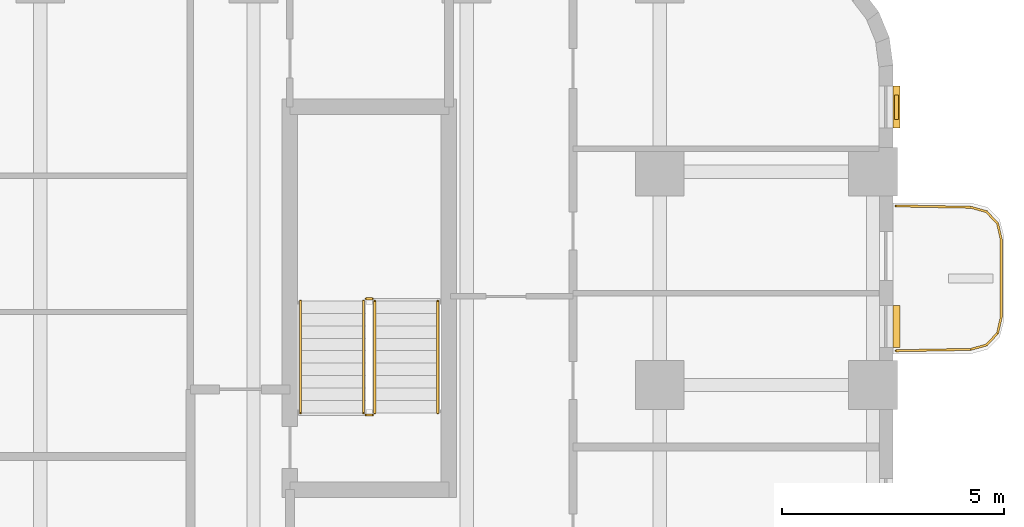
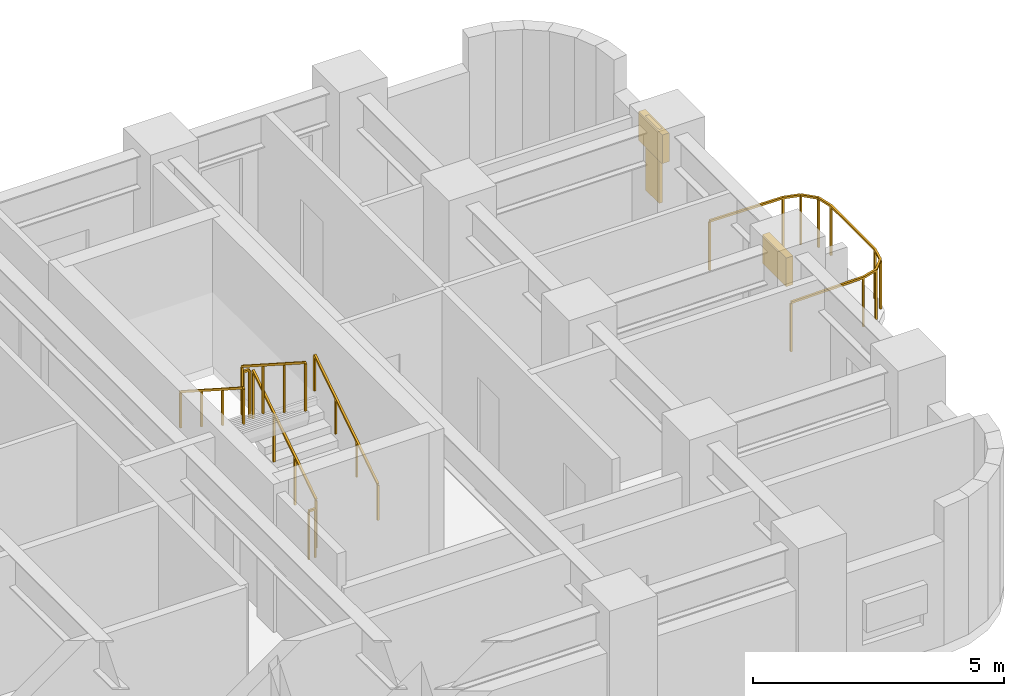
# One storey, part 10 of 11: 7 railings, 3 shading devices.
"""IFC4 building model written with IfcOpenShell, lengths in metres."""

from ifc_helpers import new_model, si_unit, direction, frame, origin, origin_2d, place, context, subcontext, project, spatial, rectangle, extrude, material, type_object, element, save


model = new_model("IFC4")

# Units and contexts
model_context = context("Model", 3, precision=1e-05, world=origin(), true_north=direction((0.0, 1.0)))
body_context = subcontext(model_context, "Body", "Model", "MODEL_VIEW")
ifc_project = project(units=[si_unit("LENGTHUNIT", "METRE"), si_unit("AREAUNIT", "SQUARE_METRE"), si_unit("VOLUMEUNIT", "CUBIC_METRE"), si_unit("PLANEANGLEUNIT", "RADIAN"), si_unit("MASSUNIT", "GRAM", prefix="KILO")], contexts=[model_context])

# Site, building, storey
site_placement = place(None, origin())
site = spatial("IfcSite", under=ifc_project, at=site_placement, CompositionType="ELEMENT")
building_placement = place(site_placement, origin())
building = spatial("IfcBuilding", under=site, at=building_placement, Name="Orvandelia Arch Residences", CompositionType="ELEMENT")
storey_placement = place(building_placement, frame((0.0, 0.0, 64.60009765625)))
storey = spatial("IfcBuildingStorey", under=building, at=storey_placement, Name="L16", CompositionType="ELEMENT", Elevation=64.60009765625)

# Railings
ifc_material_1 = material(Name="Marine-Grade Stainless Steel 316", Category="steel")
railing_type_1 = type_object("IfcRailingType", Name="GRD-BAL-1200", PredefinedType="BALUSTRADE", material=ifc_material_1)
railing_1_placement = place(storey_placement, frame((57.671875, 39.169677734375, 0.0)))
element("IfcRailing", 1, at=railing_1_placement, inside=storey, type_object=railing_type_1, Name="Safety Balustrade Guard GRD-L16-BAL-L16-E1-1", PredefinedType="BALUSTRADE", context=body_context, shape_type="SweptSolid", body=[
    extrude(rectangle(XDim=0.048095703125, YDim=0.048095703125, at=origin_2d()), frame((0.0, 0.0, 1.19580078125), z_axis=(0.999837384468, 0.018033430643, 0.0), x_axis=(-0.018033430643, 0.999837384468, 0.0)), (0.0, 0.0, 1.0), 1.6787109375),
    extrude(rectangle(XDim=0.048095703125, YDim=0.048095703125, at=origin_2d()), frame((1.678466796875, 0.0302734375, 1.19580078125), z_axis=(0.963441293861, 0.267919527627, 0.0), x_axis=(-0.267919527627, 0.963441293861, 0.0)), (0.0, 0.0, 1.0), 0.365478515625),
    extrude(rectangle(XDim=0.048095703125, YDim=0.048095703125, at=origin_2d()), frame((2.030517578125, 0.128173828125, 1.19580078125), z_axis=(0.688296224633, 0.725429739642, 0.0), x_axis=(-0.725429739642, 0.688296224633, 0.0)), (0.0, 0.0, 1.0), 0.3681640625),
    extrude(rectangle(XDim=0.048095703125, YDim=0.048095703125, at=origin_2d()), frame((2.283935546875, 0.395263671875, 1.19580078125), z_axis=(0.221225034864, 0.975222786828, 0.0), x_axis=(-0.975222786828, 0.221225034864, 0.0)), (0.0, 0.0, 1.0), 0.373046875),
    extrude(rectangle(XDim=0.048095703125, YDim=0.048095703125, at=origin_2d()), frame((2.366455078125, 0.759033203125, 1.19580078125), z_axis=(0.0, 1.0, 0.0), x_axis=(-1.0, 0.0, 0.0)), (0.0, 0.0, 1.0), 1.74267578125),
    extrude(rectangle(XDim=0.048095703125, YDim=0.048095703125, at=origin_2d()), frame((2.366455078125, 2.501708984375, 1.19580078125), z_axis=(-0.221225034864, 0.975222786828, 0.0), x_axis=(-0.975222786828, -0.221225034864, 0.0)), (0.0, 0.0, 1.0), 0.373046875),
    extrude(rectangle(XDim=0.048095703125, YDim=0.048095703125, at=origin_2d()), frame((2.283935546875, 2.865478515625, 1.19580078125), z_axis=(-0.688627404251, 0.725115368831, 0.0), x_axis=(-0.725115368831, -0.688627404251, 0.0)), (0.0, 0.0, 1.0), 0.367919921875),
    extrude(rectangle(XDim=0.048095703125, YDim=0.048095703125, at=origin_2d()), frame((2.030517578125, 3.13232421875, 1.19580078125), z_axis=(-0.963441293861, 0.267919527627, 0.0), x_axis=(-0.267919527627, -0.963441293861, 0.0)), (0.0, 0.0, 1.0), 0.365478515625),
    extrude(rectangle(XDim=0.048095703125, YDim=0.048095703125, at=origin_2d()), frame((1.678466796875, 3.230224609375, 1.19580078125), z_axis=(-0.999834751713, 0.018178813668, 0.0), x_axis=(-0.018178813668, -0.999834751713, 0.0)), (0.0, 0.0, 1.0), 1.6787109375),
    extrude(rectangle(XDim=0.0419921875, YDim=0.0419921875, at=origin_2d()), origin(), (0.0, 0.0, 1.0), 1.171875),
    extrude(rectangle(XDim=0.0419921875, YDim=0.0419921875, at=origin_2d()), frame((1.678466796875, 0.0302734375, 0.0)), (0.0, 0.0, 1.0), 1.171875),
    extrude(rectangle(XDim=0.0419921875, YDim=0.0419921875, at=origin_2d()), frame((2.030517578125, 0.128173828125, 0.0)), (0.0, 0.0, 1.0), 1.171875),
    extrude(rectangle(XDim=0.0419921875, YDim=0.0419921875, at=origin_2d()), frame((2.283935546875, 0.395263671875, 0.0)), (0.0, 0.0, 1.0), 1.171875),
    extrude(rectangle(XDim=0.0419921875, YDim=0.0419921875, at=origin_2d()), frame((2.366455078125, 0.759033203125, 0.0)), (0.0, 0.0, 1.0), 1.171875),
    extrude(rectangle(XDim=0.0419921875, YDim=0.0419921875, at=origin_2d()), frame((2.366455078125, 2.501708984375, 0.0)), (0.0, 0.0, 1.0), 1.171875),
    extrude(rectangle(XDim=0.0419921875, YDim=0.0419921875, at=origin_2d()), frame((2.283935546875, 2.865478515625, 0.0)), (0.0, 0.0, 1.0), 1.171875),
    extrude(rectangle(XDim=0.0419921875, YDim=0.0419921875, at=origin_2d()), frame((2.030517578125, 3.13232421875, 0.0)), (0.0, 0.0, 1.0), 1.171875),
    extrude(rectangle(XDim=0.0419921875, YDim=0.0419921875, at=origin_2d()), frame((1.678466796875, 3.230224609375, 0.0)), (0.0, 0.0, 1.0), 1.171875),
    extrude(rectangle(XDim=0.0419921875, YDim=0.0419921875, at=origin_2d()), frame((0.0, 3.2607421875, 0.0)), (0.0, 0.0, 1.0), 1.171875),
])
ifc_material_2 = material(Name="Brushed Stainless Steel 304", Category="steel")
railing_type_2 = type_object("IfcRailingType", Name="RL-STAIR-GD1120", PredefinedType="GUARDRAIL", material=ifc_material_2)
railing_2_placement = place(storey_placement, frame((45.929931640625, 37.77001953125, 0.179931640625)))
element("IfcRailing", 2, at=railing_2_placement, inside=storey, type_object=railing_type_2, Name="L16 ST-3 stair guard 1", PredefinedType="GUARDRAIL", context=body_context, shape_type="SweptSolid", body=[
    extrude(rectangle(XDim=0.048095703125, YDim=0.048095703125, at=origin_2d()), frame((0.0, 0.0, 1.17578125), z_axis=(0.0, 0.841199657755, 0.540724639528), x_axis=(-1.0, 0.0, 0.0)), (0.0, 0.0, 1.0), 2.995849609375),
    extrude(rectangle(XDim=0.0419921875, YDim=0.0419921875, at=origin_2d()), origin(), (0.0, 0.0, 1.0), 1.15185546875),
    extrude(rectangle(XDim=0.0419921875, YDim=0.0419921875, at=origin_2d()), frame((0.0, 0.840087890625, 0.5400390625)), (0.0, 0.0, 1.0), 1.15185546875),
    extrude(rectangle(XDim=0.0419921875, YDim=0.0419921875, at=origin_2d()), frame((0.0, 1.679931640625, 1.079833984375)), (0.0, 0.0, 1.0), 1.15185546875),
    extrude(rectangle(XDim=0.0419921875, YDim=0.0419921875, at=origin_2d()), frame((0.0, 2.52001953125, 1.619873046875)), (0.0, 0.0, 1.0), 1.15185546875),
])
railing_3_placement = place(storey_placement, frame((45.8798828125, 40.340087890625, 1.7998046875)))
element("IfcRailing", 3, at=railing_3_placement, inside=storey, type_object=railing_type_2, Name="L16 ST-3 stair guard 2", PredefinedType="GUARDRAIL", context=body_context, shape_type="SweptSolid", body=[
    extrude(rectangle(XDim=0.048095703125, YDim=0.048095703125, at=origin_2d()), frame((0.0, 0.0, 1.17578125), z_axis=(-1.0, 0.0, 0.0), x_axis=(0.0, -1.0, 0.0)), (0.0, 0.0, 1.0), 0.14990234375),
    extrude(rectangle(XDim=0.0419921875, YDim=0.0419921875, at=origin_2d()), origin(), (0.0, 0.0, 1.0), 1.15185546875),
    extrude(rectangle(XDim=0.0419921875, YDim=0.0419921875, at=origin_2d()), frame((-0.14990234375, 0.0, 0.0)), (0.0, 0.0, 1.0), 1.15185546875),
])
railing_4_placement = place(storey_placement, frame((45.679931640625, 40.2900390625, 1.97998046875)))
element("IfcRailing", 4, at=railing_4_placement, inside=storey, type_object=railing_type_2, Name="L16 ST-3 stair guard 3", PredefinedType="GUARDRAIL", context=body_context, shape_type="SweptSolid", body=[
    extrude(rectangle(XDim=0.048095703125, YDim=0.048095703125, at=origin_2d()), frame((0.0, 0.0, 1.17578125), z_axis=(0.0, -0.841199657755, 0.540724639528), x_axis=(1.0, 0.0, 0.0)), (0.0, 0.0, 1.0), 2.995849609375),
    extrude(rectangle(XDim=0.0419921875, YDim=0.0419921875, at=origin_2d()), origin(), (0.0, 0.0, 1.0), 1.15185546875),
    extrude(rectangle(XDim=0.0419921875, YDim=0.0419921875, at=origin_2d()), frame((0.0, -0.840087890625, 0.5400390625)), (0.0, 0.0, 1.0), 1.15185546875),
    extrude(rectangle(XDim=0.0419921875, YDim=0.0419921875, at=origin_2d()), frame((0.0, -1.679931640625, 1.079833984375)), (0.0, 0.0, 1.0), 1.15185546875),
    extrude(rectangle(XDim=0.0419921875, YDim=0.0419921875, at=origin_2d()), frame((0.0, -2.52001953125, 1.619873046875)), (0.0, 0.0, 1.0), 1.15185546875),
])
railing_5_placement = place(storey_placement, frame((45.8798828125, 37.719970703125, 0.0)))
element("IfcRailing", 5, at=railing_5_placement, inside=storey, type_object=railing_type_2, Name="L16 ST-3 stair guard 4", PredefinedType="GUARDRAIL", context=body_context, shape_type="SweptSolid", body=[
    extrude(rectangle(XDim=0.048095703125, YDim=0.048095703125, at=origin_2d()), frame((0.0, 0.0, 1.17578125), z_axis=(-1.0, 0.0, 0.0), x_axis=(0.0, -1.0, 0.0)), (0.0, 0.0, 1.0), 0.14990234375),
    extrude(rectangle(XDim=0.0419921875, YDim=0.0419921875, at=origin_2d()), origin(), (0.0, 0.0, 1.0), 1.15185546875),
    extrude(rectangle(XDim=0.0419921875, YDim=0.0419921875, at=origin_2d()), frame((-0.14990234375, 0.0, 0.0)), (0.0, 0.0, 1.0), 1.15185546875),
])
railing_type_3 = type_object("IfcRailingType", Name="RL-STAIR-HR920", PredefinedType="HANDRAIL", material=ifc_material_2)
railing_6_placement = place(storey_placement, frame((47.35009765625, 37.77001953125, 0.35986328125)))
element("IfcRailing", 6, at=railing_6_placement, inside=storey, type_object=railing_type_3, Name="L16 ST-3 stair handrail 1", PredefinedType="HANDRAIL", context=body_context, shape_type="SweptSolid", body=[
    extrude(rectangle(XDim=0.048095703125, YDim=0.048095703125, at=origin_2d()), frame((0.0, 0.0, 0.8759765625), z_axis=(0.0, 0.841162588446, 0.540782303519), x_axis=(-1.0, 0.0, 0.0)), (0.0, 0.0, 1.0), 2.995849609375),
    extrude(rectangle(XDim=0.0419921875, YDim=0.0419921875, at=origin_2d()), origin(), (0.0, 0.0, 1.0), 0.851806640625),
    extrude(rectangle(XDim=0.0419921875, YDim=0.0419921875, at=origin_2d()), frame((0.0, 0.840087890625, 0.5400390625)), (0.0, 0.0, 1.0), 0.851806640625),
    extrude(rectangle(XDim=0.0419921875, YDim=0.0419921875, at=origin_2d()), frame((0.0, 1.679931640625, 1.080078125)), (0.0, 0.0, 1.0), 0.851806640625),
    extrude(rectangle(XDim=0.0419921875, YDim=0.0419921875, at=origin_2d()), frame((0.0, 2.52001953125, 1.6201171875)), (0.0, 0.0, 1.0), 0.851806640625),
])
railing_7_placement = place(storey_placement, frame((44.260009765625, 40.2900390625, 2.159912109375)))
element("IfcRailing", 7, at=railing_7_placement, inside=storey, type_object=railing_type_3, Name="L16 ST-3 stair handrail 2", PredefinedType="HANDRAIL", context=body_context, shape_type="SweptSolid", body=[
    extrude(rectangle(XDim=0.048095703125, YDim=0.048095703125, at=origin_2d()), frame((0.0, 0.0, 0.8759765625), z_axis=(0.0, -0.841199657755, 0.540724639528), x_axis=(1.0, 0.0, 0.0)), (0.0, 0.0, 1.0), 2.995849609375),
    extrude(rectangle(XDim=0.0419921875, YDim=0.0419921875, at=origin_2d()), origin(), (0.0, 0.0, 1.0), 0.851806640625),
    extrude(rectangle(XDim=0.0419921875, YDim=0.0419921875, at=origin_2d()), frame((0.0, -0.840087890625, 0.5400390625)), (0.0, 0.0, 1.0), 0.851806640625),
    extrude(rectangle(XDim=0.0419921875, YDim=0.0419921875, at=origin_2d()), frame((0.0, -1.679931640625, 1.079833984375)), (0.0, 0.0, 1.0), 0.851806640625),
    extrude(rectangle(XDim=0.0419921875, YDim=0.0419921875, at=origin_2d()), frame((0.0, -2.52001953125, 1.619873046875)), (0.0, 0.0, 1.0), 0.851806640625),
])

# Shading devices
ifc_material_3 = material(Name="Anodised Champagne-Bronze Extruded Aluminium", Category="aluminium")
shading_device_type_1 = type_object("IfcShadingDeviceType", Name="SHD-JALOUSIE-SCREEN", PredefinedType="JALOUSIE", material=ifc_material_3)
for number, where, z_axis, x_axis, name in (
    (8, (57.679931640625, 44.655029296875, 1.5498046875), (0.0, 0.0, 1.0), (0.0, -1.0, 0.0), "Bronze Jalousie Sun-Shade L16-003"),
    (9, (57.679931640625, 39.717529296875, 1.5498046875), (0.0, 0.0, 1.0), (0.0, -1.0, 0.0), "Bronze Jalousie Sun-Shade L16-004"),
):
    element("IfcShadingDevice", number, at=place(storey_placement, frame(where, z_axis=z_axis, x_axis=x_axis)), inside=storey, type_object=shading_device_type_1, Name=name, PredefinedType="JALOUSIE", context=body_context, shape_type="SweptSolid", body=[
        extrude(rectangle(XDim=0.949951171875, YDim=0.159912109375, at=origin_2d()), origin(), (0.0, 0.0, 1.0), 0.699951171875),
    ])
ifc_material_4 = material(Name="Marine-Grade Perforated Aluminium Storm Shutter", Category="aluminium")
shading_device_type_2 = type_object("IfcShadingDeviceType", Name="SHD-STORM-SHUTTER", PredefinedType="SHUTTER", material=ifc_material_4)
shading_device_placement = place(storey_placement, frame((57.679931640625, 44.655029296875, 0.44970703125), z_axis=(0.0, 0.0, 1.0), x_axis=(0.0, -1.0, 0.0)))
element("IfcShadingDevice", 10, at=shading_device_placement, inside=storey, type_object=shading_device_type_2, Name="Operable Typhoon Storm Shutter L16-003", PredefinedType="SHUTTER", context=body_context, shape_type="SweptSolid", body=[
    extrude(rectangle(XDim=0.550048828125, YDim=0.080078125, at=origin_2d()), origin(), (0.0, 0.0, 1.0), 1.800048828125),
])

save(model, "model.ifc")
